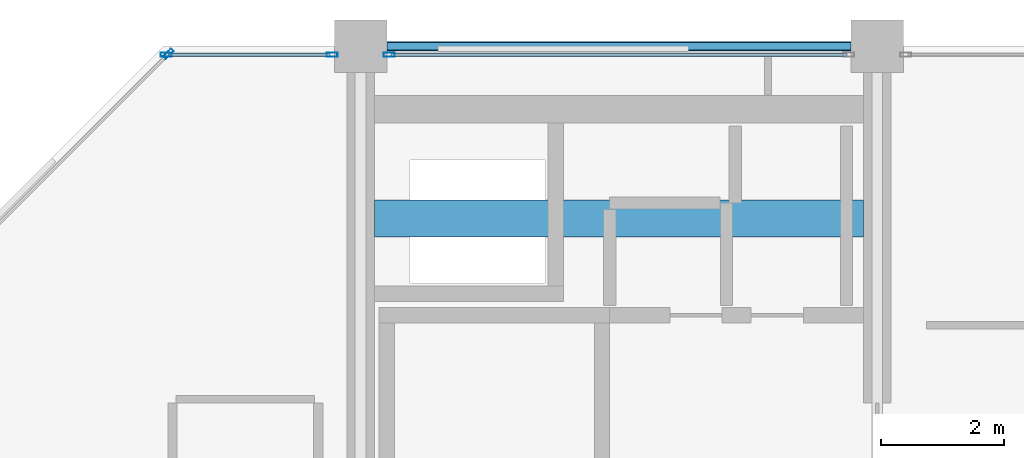
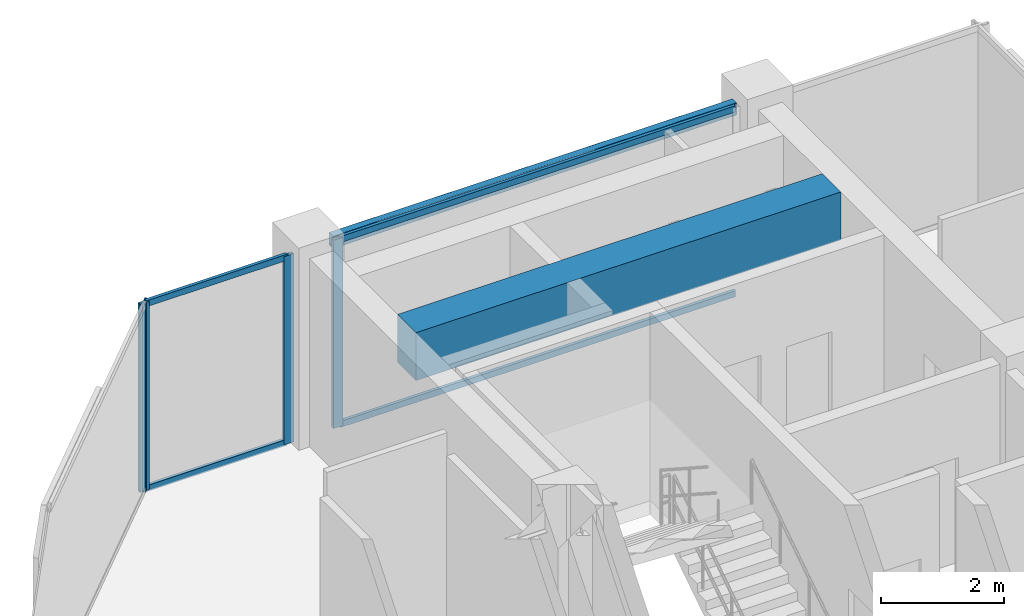
# One storey, part 17 of 24: 8 members, 2 beams, 3 elements without a shape of their own.
"""IFC4 building model written with IfcOpenShell, lengths in metres."""

from ifc_helpers import new_model, si_unit, direction, frame, origin, origin_2d, place, context, subcontext, project, spatial, rectangle, hollow_rectangle, extrude, material, layer, layer_set, material_profile, profile_set, type_object, element, aggregate, save


model = new_model("IFC4")

# Units and contexts
model_context = context("Model", 3, precision=1e-05, world=origin(), true_north=direction((0.0, 1.0)))
body_context = subcontext(model_context, "Body", "Model", "MODEL_VIEW")
ifc_project = project(units=[si_unit("LENGTHUNIT", "METRE"), si_unit("AREAUNIT", "SQUARE_METRE"), si_unit("VOLUMEUNIT", "CUBIC_METRE"), si_unit("PLANEANGLEUNIT", "RADIAN"), si_unit("MASSUNIT", "GRAM", prefix="KILO")], contexts=[model_context])

# Site, building, storey
site_placement = place(None, origin())
site = spatial("IfcSite", under=ifc_project, at=site_placement, CompositionType="ELEMENT")
building_placement = place(site_placement, origin())
building = spatial("IfcBuilding", under=site, at=building_placement, Name="Nerrivon Quay Data Exchange", CompositionType="ELEMENT")
storey_placement = place(building_placement, frame((0.0, 0.0, 306.199951171875)))
storey = spatial("IfcBuildingStorey", under=building, at=storey_placement, Name="L73", CompositionType="ELEMENT", Elevation=306.199951171875)

# Beams
ifc_material_1 = material(Name="Concrete N50 (50 MPa)", Category="concrete")
ifc_material_profile_1 = material_profile(ifc_material_1, rectangle(XDim=0.60009765625, YDim=0.949951171875, at=origin_2d()), Name="RC-CB-600x950")
ifc_profile_set_1 = profile_set([ifc_material_profile_1], Name="Concrete N50 (50 MPa)")
beam_type_1 = type_object("IfcBeamType", Name="BM-CB2-600x950", PredefinedType="LINTEL", material=ifc_profile_set_1)
beam_1_placement = place(storey_placement, frame((8.625, 39.199951171875, 3.25), z_axis=(1.0, 0.0, 0.0), x_axis=(0.0, 1.0, 0.0)))
element("IfcBeam", 1, at=beam_1_placement, inside=storey, type_object=beam_type_1, Name="L73 West Core Coupling Beam", PredefinedType="LINTEL", context=body_context, shape_type="SweptSolid", body=[
    extrude(rectangle(XDim=0.60009765625, YDim=0.949951171875, at=origin_2d()), origin(), (0.0, 0.0, 1.0), 7.949951171875),
])
ifc_material_2 = material(Name="Steel Grade C350L0 (350 MPa)", Category="steel")
ifc_material_profile_2 = material_profile(ifc_material_2, hollow_rectangle(XDim=0.14990234375, YDim=0.25, WallThickness=0.009033203125, InnerFilletRadius=0.013427734375, OuterFilletRadius=0.0224609375, at=origin_2d()), Name="250x150x9.0RHS")
ifc_profile_set_2 = profile_set([ifc_material_profile_2], Name="Steel Grade C350L0 (350 MPa)")
beam_type_2 = type_object("IfcBeamType", Name="BM-SP4-250x150RHS", PredefinedType="SPANDREL", material=ifc_profile_set_2)
beam_2_placement = place(storey_placement, frame((8.824951171875, 42.0, 3.60009765625), z_axis=(1.0, 0.0, 0.0), x_axis=(0.0, 1.0, 0.0)))
element("IfcBeam", 2, at=beam_2_placement, inside=storey, type_object=beam_type_2, Name="L73 EW Girder Y=42.0 (8.4..16.8)", PredefinedType="SPANDREL", context=body_context, shape_type="SweptSolid", body=[
    extrude(hollow_rectangle(XDim=0.14990234375, YDim=0.25, WallThickness=0.009033203125, InnerFilletRadius=0.013427734375, OuterFilletRadius=0.0224609375, at=origin_2d()), origin(), (0.0, 0.0, 1.0), 7.550048828125),
])

# Curtain wall, member
ifc_material_3 = material(Name="Anodised aluminium 6063-T6", Category="aluminium")
ifc_layer = layer(ifc_material_3, 0.195068359375)
ifc_layer_set = layer_set([ifc_layer], Name="Anodised aluminium 6063-T6")
curtain_wall_type = type_object("IfcCurtainWallType", Name="CW-SYS-06", PredefinedType="NOTDEFINED", material=ifc_layer_set)
curtain_wall_1_placement = place(storey_placement, origin())
curtain_wall_1 = element("IfcCurtainWall", 3, at=curtain_wall_1_placement, inside=storey, type_object=curtain_wall_type, Name="L73 Unitised Curtain Wall 13", PredefinedType="NOTDEFINED")
ifc_material_profile_3 = material_profile(ifc_material_3, hollow_rectangle(XDim=0.06494140625, YDim=0.179931640625, WallThickness=0.00341796875, at=origin_2d()), Name="ALU-MULL-180x65")
ifc_profile_set_3 = profile_set([ifc_material_profile_3], Name="Anodised aluminium 6063-T6")
member_type_1 = type_object("IfcMemberType", Name="CWM-180x65", PredefinedType="MULLION", material=ifc_profile_set_3)
member_1_placement = place(storey_placement, frame((5.2724609375, 41.87451171875, 0.0), z_axis=(0.0, 0.0, 1.0), x_axis=(-0.707106781187, 0.707106781187, 0.0)))
member_1 = element("IfcMember", 4, at=member_1_placement, type_object=member_type_1, Name="CW06 mullion 2", PredefinedType="MULLION", context=body_context, shape_type="SweptSolid", body=[
    extrude(hollow_rectangle(XDim=0.06494140625, YDim=0.179931640625, WallThickness=0.00341796875, at=origin_2d()), origin(), (0.0, 0.0, 1.0), 3.72509765625),
])
aggregate(curtain_wall_1, [member_1])

# Curtain wall, members
curtain_wall_2_placement = place(storey_placement, origin())
curtain_wall_2 = element("IfcCurtainWall", 5, at=curtain_wall_2_placement, inside=storey, type_object=curtain_wall_type, Name="L73 Unitised Curtain Wall 14", PredefinedType="NOTDEFINED")
member_2_placement = place(storey_placement, frame((5.237548828125, 41.860107421875, 0.0), z_axis=(0.0, 0.0, 1.0), x_axis=(0.0, 1.0, 0.0)))
member_2 = element("IfcMember", 6, at=member_2_placement, type_object=member_type_1, Name="CW06 mullion 1", PredefinedType="MULLION", context=body_context, shape_type="SweptSolid", body=[
    extrude(hollow_rectangle(XDim=0.06494140625, YDim=0.179931640625, WallThickness=0.00341796875, at=origin_2d()), origin(), (0.0, 0.0, 1.0), 3.72509765625),
])
member_3_placement = place(storey_placement, frame((7.9375, 41.860107421875, 0.0), z_axis=(0.0, 0.0, 1.0), x_axis=(0.0, 1.0, 0.0)))
member_3 = element("IfcMember", 7, at=member_3_placement, type_object=member_type_1, Name="CW06 mullion 2", PredefinedType="MULLION", context=body_context, shape_type="SweptSolid", body=[
    extrude(hollow_rectangle(XDim=0.06494140625, YDim=0.179931640625, WallThickness=0.00341796875, at=origin_2d()), origin(), (0.0, 0.0, 1.0), 3.72509765625),
])

# Curtain wall, member
curtain_wall_3_placement = place(storey_placement, origin())
curtain_wall_3 = element("IfcCurtainWall", 8, at=curtain_wall_3_placement, inside=storey, type_object=curtain_wall_type, Name="L73 Unitised Curtain Wall 15", PredefinedType="NOTDEFINED")
member_4_placement = place(storey_placement, frame((8.862548828125, 41.860107421875, 0.0), z_axis=(0.0, 0.0, 1.0), x_axis=(0.0, 1.0, 0.0)))
member_4 = element("IfcMember", 9, at=member_4_placement, type_object=member_type_1, Name="CW06 mullion 1", PredefinedType="MULLION", context=body_context, shape_type="SweptSolid", body=[
    extrude(hollow_rectangle(XDim=0.06494140625, YDim=0.179931640625, WallThickness=0.00341796875, at=origin_2d()), origin(), (0.0, 0.0, 1.0), 3.72509765625),
])

# Member
ifc_material_profile_4 = material_profile(ifc_material_3, hollow_rectangle(XDim=0.06005859375, YDim=0.1201171875, WallThickness=0.003173828125, at=origin_2d()), Name="ALU-TRAN-120x60")
ifc_profile_set_4 = profile_set([ifc_material_profile_4], Name="Anodised aluminium 6063-T6")
member_type_2 = type_object("IfcMemberType", Name="CWT-120x60", PredefinedType="USERDEFINED", material=ifc_profile_set_4)
member_5_placement = place(storey_placement, frame((5.27490234375, 41.860107421875, 0.032470703125), z_axis=(1.0, 0.0, 0.0), x_axis=(0.0, 1.0, 0.0)))
member_5 = element("IfcMember", 10, at=member_5_placement, type_object=member_type_2, Name="CW06 transom 1.1", ObjectType="TRANSOM", PredefinedType="USERDEFINED", context=body_context, shape_type="SweptSolid", body=[
    extrude(hollow_rectangle(XDim=0.06005859375, YDim=0.1201171875, WallThickness=0.003173828125, at=origin_2d()), origin(), (0.0, 0.0, 1.0), 2.625),
])

member_6_placement = place(storey_placement, frame((5.27490234375, 41.860107421875, 3.692626953125), z_axis=(1.0, 0.0, 0.0), x_axis=(0.0, 1.0, 0.0)))
member_6 = element("IfcMember", 11, at=member_6_placement, type_object=member_type_2, Name="CW06 transom 1.2", ObjectType="TRANSOM", PredefinedType="USERDEFINED", context=body_context, shape_type="SweptSolid", body=[
    extrude(hollow_rectangle(XDim=0.06005859375, YDim=0.1201171875, WallThickness=0.003173828125, at=origin_2d()), origin(), (0.0, 0.0, 1.0), 2.625),
])

aggregate(curtain_wall_2, [member_2, member_3, member_5, member_6])

member_7_placement = place(storey_placement, frame((8.89990234375, 41.860107421875, 0.032470703125), z_axis=(1.0, 0.0, 0.0), x_axis=(0.0, 1.0, 0.0)))
member_7 = element("IfcMember", 12, at=member_7_placement, type_object=member_type_2, Name="CW06 transom 1.1", ObjectType="TRANSOM", PredefinedType="USERDEFINED", context=body_context, shape_type="SweptSolid", body=[
    extrude(hollow_rectangle(XDim=0.06005859375, YDim=0.1201171875, WallThickness=0.003173828125, at=origin_2d()), origin(), (0.0, 0.0, 1.0), 7.400146484375),
])

member_8_placement = place(storey_placement, frame((8.89990234375, 41.860107421875, 3.692626953125), z_axis=(1.0, 0.0, 0.0), x_axis=(0.0, 1.0, 0.0)))
member_8 = element("IfcMember", 13, at=member_8_placement, type_object=member_type_2, Name="CW06 transom 1.2", ObjectType="TRANSOM", PredefinedType="USERDEFINED", context=body_context, shape_type="SweptSolid", body=[
    extrude(hollow_rectangle(XDim=0.06005859375, YDim=0.1201171875, WallThickness=0.003173828125, at=origin_2d()), origin(), (0.0, 0.0, 1.0), 7.400146484375),
])

aggregate(curtain_wall_3, [member_4, member_7, member_8])

save(model, "model.ifc")
